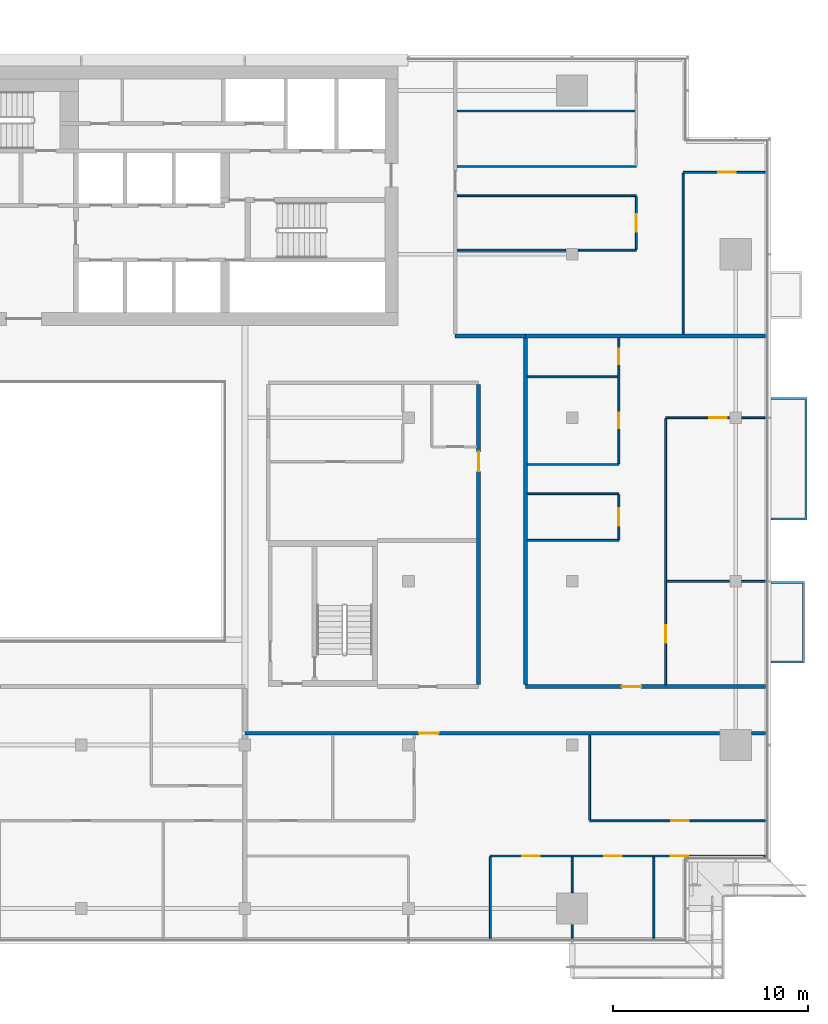
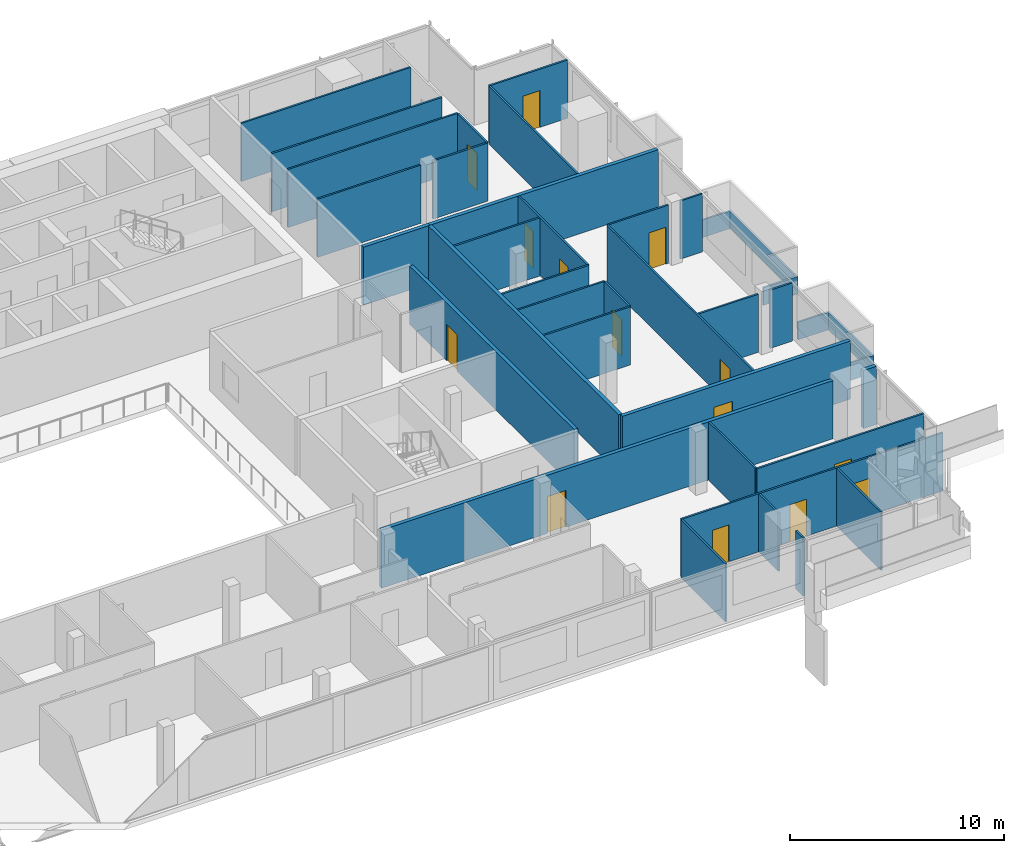
# One storey, part 23 of 30: 35 walls, 14 doors, 14 openings.
"""IFC4 building model written with IfcOpenShell, lengths in metres."""

from ifc_helpers import new_model, si_unit, direction, frame, frame_2d, origin, place, context, subcontext, project, spatial, polyline, rectangle, outline, extrude, material, layer, layer_set, type_object, element, fill, save


model = new_model("IFC4")

# Units and contexts
model_context = context("Model", 3, precision=1e-05, world=origin(), true_north=direction((0.0, 1.0)))
body_context = subcontext(model_context, "Body", "Model", "MODEL_VIEW")
ifc_project = project(units=[si_unit("LENGTHUNIT", "METRE"), si_unit("AREAUNIT", "SQUARE_METRE"), si_unit("VOLUMEUNIT", "CUBIC_METRE"), si_unit("PLANEANGLEUNIT", "RADIAN"), si_unit("MASSUNIT", "GRAM", prefix="KILO")], contexts=[model_context])

# Site, building, storey
site_placement = place(None, origin())
site = spatial("IfcSite", under=ifc_project, at=site_placement, CompositionType="ELEMENT")
building_placement = place(site_placement, origin())
building = spatial("IfcBuilding", under=site, at=building_placement, Name="Saffron Gate Tower", CompositionType="ELEMENT")
storey_placement = place(building_placement, frame((0.0, 0.0, 216.300048828125)))
storey = spatial("IfcBuildingStorey", under=building, at=storey_placement, Name="L52", CompositionType="ELEMENT", Elevation=216.300048828125)

# Wall, openings, doors
ifc_material_1 = material(Name="Plasterboard on steel studs", Category="steel")
ifc_layer_1 = layer(ifc_material_1, 0.10009765625)
ifc_layer_set_1 = layer_set([ifc_layer_1], Name="PW1 Partition 100")
wall_type_1 = type_object("IfcWallType", Name="PW1 Partition 100", PredefinedType="PARTITIONING", material=ifc_layer_set_1)
wall_1_placement = place(storey_placement, frame((126.919921875, 34.5, 0.0), z_axis=(0.0, 0.0, 1.0), x_axis=(-1.0, 0.0, 0.0)))
wall_1 = element("IfcWall", 1, at=wall_1_placement, inside=storey, type_object=wall_type_1, Name="Partition D2-2", PredefinedType="PARTITIONING", context=body_context, shape_type="SweptSolid", body=[
    extrude(rectangle(XDim=14.119873046875, YDim=0.10009765625, at=frame_2d((7.06005859375, 0.0))), origin(), (0.0, 0.0, 1.0), 3.320068359375),
])
opening_1_placement = place(wall_1_placement, frame((3.96630859375, 0.0, 0.0)))
opening_1 = element("IfcOpeningElement", 2, at=opening_1_placement, cuts=wall_1, Name="Opening D2-23", PredefinedType="OPENING", context=body_context, shape_type="SweptSolid", body=[
    extrude(rectangle(XDim=0.89990234375, YDim=2.10009765625, at=frame_2d((0.449951171875, 1.050048828125))), frame((0.0, 0.06005859375, 0.0), z_axis=(0.0, -1.0, 0.0), x_axis=(1.0, 0.0, 0.0)), (0.0, 0.0, 1.0), 0.1201171875),
])
opening_2_placement = place(wall_1_placement, frame((7.3701171875, 0.0, 0.0)))
opening_2 = element("IfcOpeningElement", 3, at=opening_2_placement, cuts=wall_1, Name="Opening D2-22", PredefinedType="OPENING", context=body_context, shape_type="SweptSolid", body=[
    extrude(rectangle(XDim=0.89990234375, YDim=2.10009765625, at=frame_2d((0.449951171875, 1.050048828125))), frame((0.0, 0.06005859375, 0.0), z_axis=(0.0, -1.0, 0.0), x_axis=(1.0, 0.0, 0.0)), (0.0, 0.0, 1.0), 0.1201171875),
])
opening_3_placement = place(wall_1_placement, frame((11.570068359375, 0.0, 0.0)))
opening_3 = element("IfcOpeningElement", 4, at=opening_3_placement, cuts=wall_1, Name="Opening D2-21", PredefinedType="OPENING", context=body_context, shape_type="SweptSolid", body=[
    extrude(rectangle(XDim=0.89990234375, YDim=2.10009765625, at=frame_2d((0.449951171875, 1.050048828125))), frame((0.0, 0.06005859375, 0.0), z_axis=(0.0, -1.0, 0.0), x_axis=(1.0, 0.0, 0.0)), (0.0, 0.0, 1.0), 0.1201171875),
])
ifc_material_2 = material(Name="Timber door set", Category="wood")
door_type_1 = type_object("IfcDoorType", Name="RD1 Room door 900x2100", OperationType="NOTDEFINED", PredefinedType="DOOR", material=ifc_material_2)
door_1_placement = place(opening_1_placement, origin())
door_1 = element("IfcDoor", 5, at=door_1_placement, inside=storey, type_object=door_type_1, Name="Door D2-23", OperationType="SINGLE_SWING_RIGHT", OverallHeight=2.10009765625, OverallWidth=0.89990234375, PredefinedType="DOOR", context=body_context, shape_type="SweptSolid", body=[
    extrude(rectangle(XDim=0.89990234375, YDim=2.10009765625, at=frame_2d((0.449951171875, 1.050048828125))), frame((0.0, 0.02490234375, 0.0), z_axis=(0.0, -1.0, 0.0), x_axis=(1.0, 0.0, 0.0)), (0.0, 0.0, 1.0), 0.050048828125),
])
fill(opening_1, door_1)
door_2_placement = place(opening_2_placement, origin())
door_2 = element("IfcDoor", 6, at=door_2_placement, inside=storey, type_object=door_type_1, Name="Door D2-22", OperationType="SINGLE_SWING_RIGHT", OverallHeight=2.10009765625, OverallWidth=0.89990234375, PredefinedType="DOOR", context=body_context, shape_type="SweptSolid", body=[
    extrude(rectangle(XDim=0.89990234375, YDim=2.10009765625, at=frame_2d((0.449951171875, 1.050048828125))), frame((0.0, 0.02490234375, 0.0), z_axis=(0.0, -1.0, 0.0), x_axis=(1.0, 0.0, 0.0)), (0.0, 0.0, 1.0), 0.050048828125),
])
fill(opening_2, door_2)
door_3_placement = place(opening_3_placement, origin())
door_3 = element("IfcDoor", 7, at=door_3_placement, inside=storey, type_object=door_type_1, Name="Door D2-21", OperationType="SINGLE_SWING_LEFT", OverallHeight=2.10009765625, OverallWidth=0.89990234375, PredefinedType="DOOR", context=body_context, shape_type="SweptSolid", body=[
    extrude(rectangle(XDim=0.89990234375, YDim=2.10009765625, at=frame_2d((0.449951171875, 1.050048828125))), frame((0.0, 0.02490234375, 0.0), z_axis=(0.0, -1.0, 0.0), x_axis=(1.0, 0.0, 0.0)), (0.0, 0.0, 1.0), 0.050048828125),
])
fill(opening_3, door_3)

# Wall, opening, door
wall_2_placement = place(storey_placement, frame((117.89990234375, 36.300048828125, 0.0), z_axis=(0.0, 0.0, 1.0), x_axis=(1.0, 0.0, 0.0)))
wall_2 = element("IfcWall", 8, at=wall_2_placement, inside=storey, type_object=wall_type_1, Name="Partition D2-4", PredefinedType="PARTITIONING", context=body_context, shape_type="SweptSolid", body=[
    extrude(rectangle(XDim=9.02001953125, YDim=0.10009765625, at=frame_2d((4.510009765625, 0.0))), origin(), (0.0, 0.0, 1.0), 3.320068359375),
])
opening_4_placement = place(wall_2_placement, frame((4.199951171875, 0.0, 0.0)))
opening_4 = element("IfcOpeningElement", 9, at=opening_4_placement, cuts=wall_2, Name="Opening D2-24", PredefinedType="OPENING", context=body_context, shape_type="SweptSolid", body=[
    extrude(rectangle(XDim=0.89990234375, YDim=2.10009765625, at=frame_2d((0.449951171875, 1.050048828125))), frame((0.0, 0.06005859375, 0.0), z_axis=(0.0, -1.0, 0.0), x_axis=(1.0, 0.0, 0.0)), (0.0, 0.0, 1.0), 0.1201171875),
])
door_4_placement = place(opening_4_placement, origin())
door_4 = element("IfcDoor", 10, at=door_4_placement, inside=storey, type_object=door_type_1, Name="Door D2-24", OperationType="SINGLE_SWING_RIGHT", OverallHeight=2.10009765625, OverallWidth=0.89990234375, PredefinedType="DOOR", context=body_context, shape_type="SweptSolid", body=[
    extrude(rectangle(XDim=0.89990234375, YDim=2.10009765625, at=frame_2d((0.449951171875, 1.050048828125))), frame((0.0, 0.02490234375, 0.0), z_axis=(0.0, -1.0, 0.0), x_axis=(1.0, 0.0, 0.0)), (0.0, 0.0, 1.0), 0.050048828125),
])
fill(opening_4, door_4)

# Walls
wall_3_placement = place(storey_placement, frame((121.85009765625, 48.60009765625, 0.0), z_axis=(0.0, 0.0, 1.0), x_axis=(1.0, 0.0, 0.0)))
element("IfcWall", 11, at=wall_3_placement, inside=storey, type_object=wall_type_1, Name="Partition D2-21", PredefinedType="PARTITIONING", context=body_context, shape_type="SweptSolid", body=[
    extrude(rectangle(XDim=3.22998046875, YDim=0.10009765625, at=frame_2d((1.614990234375, 0.0))), origin(), (0.0, 0.0, 1.0), 3.320068359375),
])
wall_4_placement = place(storey_placement, frame((125.719970703125, 48.60009765625, 0.0), z_axis=(0.0, 0.0, 1.0), x_axis=(1.0, 0.0, 0.0)))
element("IfcWall", 12, at=wall_4_placement, inside=storey, type_object=wall_type_1, Name="Partition D2-22", PredefinedType="PARTITIONING", context=body_context, shape_type="SweptSolid", body=[
    extrude(rectangle(XDim=1.199951171875, YDim=0.10009765625, at=frame_2d((0.60009765625, 0.0))), origin(), (0.0, 0.0, 1.0), 3.320068359375),
])
for number, where, z_axis, x_axis, name in (
    (13, (114.699951171875, 50.699951171875, 0.0), (0.0, 0.0, 1.0), (1.0, 0.0, 0.0), "Partition D2-26"),
    (14, (114.699951171875, 53.10009765625, 0.0), (0.0, 0.0, 1.0), (1.0, 0.0, 0.0), "Partition D2-28"),
    (15, (114.699951171875, 54.60009765625, 0.0), (0.0, 0.0, 1.0), (1.0, 0.0, 0.0), "Partition D2-29"),
):
    element("IfcWall", number, at=place(storey_placement, frame(where, z_axis=z_axis, x_axis=x_axis)), inside=storey, type_object=wall_type_1, Name=name, PredefinedType="PARTITIONING", context=body_context, shape_type="SweptSolid", body=[
        extrude(rectangle(XDim=4.699951171875, YDim=0.10009765625, at=frame_2d((2.35009765625, 0.0))), origin(), (0.0, 0.0, 1.0), 3.320068359375),
    ])

# Wall, opening, door
wall_5_placement = place(storey_placement, frame((125.080078125, 57.0, 0.0), z_axis=(0.0, 0.0, 1.0), x_axis=(-1.0, 0.0, 0.0)))
wall_5 = element("IfcWall", 16, at=wall_5_placement, inside=storey, type_object=wall_type_1, Name="Partition D2-34", PredefinedType="PARTITIONING", context=body_context, shape_type="SweptSolid", body=[
    extrude(rectangle(XDim=3.280029296875, YDim=0.10009765625, at=frame_2d((1.64013671875, 0.0))), origin(), (0.0, 0.0, 1.0), 3.320068359375),
])
opening_5_placement = place(wall_5_placement, frame((0.14990234375, 0.0, 0.0)))
opening_5 = element("IfcOpeningElement", 17, at=opening_5_placement, cuts=wall_5, Name="Opening D2-32", PredefinedType="OPENING", context=body_context, shape_type="SweptSolid", body=[
    extrude(rectangle(XDim=0.89990234375, YDim=2.10009765625, at=frame_2d((0.449951171875, 1.050048828125))), frame((0.0, 0.06005859375, 0.0), z_axis=(0.0, -1.0, 0.0), x_axis=(1.0, 0.0, 0.0)), (0.0, 0.0, 1.0), 0.1201171875),
])
door_5_placement = place(opening_5_placement, origin())
door_5 = element("IfcDoor", 18, at=door_5_placement, inside=storey, type_object=door_type_1, Name="Door D2-32", OperationType="SINGLE_SWING_LEFT", OverallHeight=2.10009765625, OverallWidth=0.89990234375, PredefinedType="DOOR", context=body_context, shape_type="SweptSolid", body=[
    extrude(rectangle(XDim=0.89990234375, YDim=2.10009765625, at=frame_2d((0.449951171875, 1.050048828125))), frame((0.0, 0.02490234375, 0.0), z_axis=(0.0, -1.0, 0.0), x_axis=(1.0, 0.0, 0.0)), (0.0, 0.0, 1.0), 0.050048828125),
])
fill(opening_5, door_5)

# Walls
wall_6_placement = place(storey_placement, frame((125.719970703125, 57.0, 0.0), z_axis=(0.0, 0.0, 1.0), x_axis=(1.0, 0.0, 0.0)))
element("IfcWall", 19, at=wall_6_placement, inside=storey, type_object=wall_type_1, Name="Partition D2-35", PredefinedType="PARTITIONING", context=body_context, shape_type="SweptSolid", body=[
    extrude(rectangle(XDim=1.199951171875, YDim=0.10009765625, at=frame_2d((0.60009765625, 0.0))), origin(), (0.0, 0.0, 1.0), 3.320068359375),
])
wall_7_placement = place(storey_placement, frame((114.699951171875, 59.10009765625, 0.0), z_axis=(0.0, 0.0, 1.0), x_axis=(1.0, 0.0, 0.0)))
element("IfcWall", 20, at=wall_7_placement, inside=storey, type_object=wall_type_1, Name="Partition D2-39", PredefinedType="PARTITIONING", context=body_context, shape_type="SweptSolid", body=[
    extrude(rectangle(XDim=4.650146484375, YDim=0.10009765625, at=frame_2d((2.3251953125, 0.0))), origin(), (0.0, 0.0, 1.0), 3.320068359375),
])
wall_8_placement = place(storey_placement, frame((111.10009765625, 65.608642578125, 0.0), z_axis=(0.0, 0.0, 1.0), x_axis=(1.0, 0.0, 0.0)))
element("IfcWall", 21, at=wall_8_placement, inside=storey, type_object=wall_type_1, Name="Partition D2-46", PredefinedType="PARTITIONING", context=body_context, shape_type="SweptSolid", body=[
    extrude(rectangle(XDim=5.579833984375, YDim=0.10009765625, at=frame_2d((2.7900390625, 0.0))), origin(), (0.0, 0.0, 1.0), 3.320068359375),
])
wall_9_placement = place(storey_placement, frame((117.320068359375, 65.608642578125, 0.0), z_axis=(0.0, 0.0, 1.0), x_axis=(1.0, 0.0, 0.0)))
element("IfcWall", 22, at=wall_9_placement, inside=storey, type_object=wall_type_1, Name="Partition D2-47", PredefinedType="PARTITIONING", context=body_context, shape_type="SweptSolid", body=[
    extrude(rectangle(XDim=2.97998046875, YDim=0.10009765625, at=frame_2d((1.489990234375, 0.0))), origin(), (0.0, 0.0, 1.0), 3.320068359375),
])
wall_10_placement = place(storey_placement, frame((111.10009765625, 68.39990234375, 0.0), z_axis=(0.0, 0.0, 1.0), x_axis=(1.0, 0.0, 0.0)))
element("IfcWall", 23, at=wall_10_placement, inside=storey, type_object=wall_type_1, Name="Partition D2-49", PredefinedType="PARTITIONING", context=body_context, shape_type="SweptSolid", body=[
    extrude(rectangle(XDim=9.199951171875, YDim=0.10009765625, at=frame_2d((4.60009765625, 0.0))), origin(), (0.0, 0.0, 1.0), 3.320068359375),
])

# Wall, opening, door
wall_11_placement = place(storey_placement, frame((126.919921875, 69.60009765625, 0.0), z_axis=(0.0, 0.0, 1.0), x_axis=(-1.0, 0.0, 0.0)))
wall_11 = element("IfcWall", 24, at=wall_11_placement, inside=storey, type_object=wall_type_1, Name="Partition D2-52", PredefinedType="PARTITIONING", context=body_context, shape_type="SweptSolid", body=[
    extrude(rectangle(XDim=4.219970703125, YDim=0.10009765625, at=frame_2d((2.10986328125, 0.0))), origin(), (0.0, 0.0, 1.0), 3.320068359375),
])
opening_6_placement = place(wall_11_placement, frame((1.52001953125, 0.0, 0.0)))
opening_6 = element("IfcOpeningElement", 25, at=opening_6_placement, cuts=wall_11, Name="Opening D2-34", PredefinedType="OPENING", context=body_context, shape_type="SweptSolid", body=[
    extrude(rectangle(XDim=0.89990234375, YDim=2.10009765625, at=frame_2d((0.449951171875, 1.050048828125))), frame((0.0, 0.06005859375, 0.0), z_axis=(0.0, -1.0, 0.0), x_axis=(1.0, 0.0, 0.0)), (0.0, 0.0, 1.0), 0.1201171875),
])
door_6_placement = place(opening_6_placement, origin())
door_6 = element("IfcDoor", 26, at=door_6_placement, inside=storey, type_object=door_type_1, Name="Door D2-34", OperationType="SINGLE_SWING_LEFT", OverallHeight=2.10009765625, OverallWidth=0.89990234375, PredefinedType="DOOR", context=body_context, shape_type="SweptSolid", body=[
    extrude(rectangle(XDim=0.89990234375, YDim=2.10009765625, at=frame_2d((0.449951171875, 1.050048828125))), frame((0.0, 0.02490234375, 0.0), z_axis=(0.0, -1.0, 0.0), x_axis=(1.0, 0.0, 0.0)), (0.0, 0.0, 1.0), 0.050048828125),
])
fill(opening_6, door_6)

# Walls
wall_12_placement = place(storey_placement, frame((111.10009765625, 69.89990234375, 0.0), z_axis=(0.0, 0.0, 1.0), x_axis=(1.0, 0.0, 0.0)))
element("IfcWall", 27, at=wall_12_placement, inside=storey, type_object=wall_type_1, Name="Partition D2-53", PredefinedType="PARTITIONING", context=body_context, shape_type="SweptSolid", body=[
    extrude(rectangle(XDim=9.199951171875, YDim=0.10009765625, at=frame_2d((4.60009765625, 0.0))), origin(), (0.0, 0.0, 1.0), 3.320068359375),
])
wall_13_placement = place(storey_placement, frame((111.10009765625, 72.74951171875, 0.0), z_axis=(0.0, 0.0, 1.0), x_axis=(1.0, 0.0, 0.0)))
element("IfcWall", 28, at=wall_13_placement, inside=storey, type_object=wall_type_1, Name="Partition D2-55", PredefinedType="PARTITIONING", context=body_context, shape_type="SweptSolid", body=[
    extrude(rectangle(XDim=9.14990234375, YDim=0.10009765625, at=frame_2d((4.574951171875, 0.0))), origin(), (0.0, 0.0, 1.0), 3.320068359375),
])
wall_14_placement = place(storey_placement, frame((112.800048828125, 34.449951171875, 0.0), z_axis=(0.0, 0.0, 1.0), x_axis=(0.0, -1.0, 0.0)))
element("IfcWall", 29, at=wall_14_placement, inside=storey, type_object=wall_type_1, Name="Partition D2-105", PredefinedType="PARTITIONING", context=body_context, shape_type="SweptSolid", body=[
    extrude(rectangle(XDim=4.169921875, YDim=0.10009765625, at=frame_2d((2.0849609375, 0.0))), origin(), (0.0, 0.0, 1.0), 3.320068359375),
])
wall_15_placement = place(storey_placement, frame((117.0, 30.97998046875, 0.0), z_axis=(0.0, 0.0, 1.0), x_axis=(0.0, -1.0, 0.0)))
element("IfcWall", 30, at=wall_15_placement, inside=storey, type_object=wall_type_1, Name="Partition D2-107", PredefinedType="PARTITIONING", context=body_context, shape_type="SweptSolid", body=[
    extrude(rectangle(XDim=0.699951171875, YDim=0.10009765625, at=frame_2d((0.35009765625, 0.0))), origin(), (0.0, 0.0, 1.0), 3.320068359375),
])
wall_16_placement = place(storey_placement, frame((117.0, 34.449951171875, 0.0), z_axis=(0.0, 0.0, 1.0), x_axis=(0.0, -1.0, 0.0)))
element("IfcWall", 31, at=wall_16_placement, inside=storey, type_object=wall_type_1, Name="Partition D2-108", PredefinedType="PARTITIONING", context=body_context, shape_type="SweptSolid", body=[
    extrude(rectangle(XDim=1.829833984375, YDim=0.10009765625, at=frame_2d((0.9150390625, 0.0))), origin(), (0.0, 0.0, 1.0), 3.320068359375),
])
wall_17_placement = place(storey_placement, frame((117.89990234375, 40.699951171875, 0.0), z_axis=(0.0, 0.0, 1.0), x_axis=(0.0, -1.0, 0.0)))
element("IfcWall", 32, at=wall_17_placement, inside=storey, type_object=wall_type_1, Name="Partition D2-109", PredefinedType="PARTITIONING", context=body_context, shape_type="SweptSolid", body=[
    extrude(rectangle(XDim=4.349853515625, YDim=0.10009765625, at=frame_2d((2.1748046875, 0.0))), origin(), (0.0, 0.0, 1.0), 3.320068359375),
])

# Wall, opening, door
wall_18_placement = place(storey_placement, frame((119.39990234375, 50.75, 0.0), z_axis=(0.0, 0.0, 1.0), x_axis=(0.0, 1.0, 0.0)))
wall_18 = element("IfcWall", 33, at=wall_18_placement, inside=storey, type_object=wall_type_1, Name="Partition D2-110", PredefinedType="PARTITIONING", context=body_context, shape_type="SweptSolid", body=[
    extrude(rectangle(XDim=2.300048828125, YDim=0.10009765625, at=frame_2d((1.14990234375, 0.0))), origin(), (0.0, 0.0, 1.0), 3.320068359375),
])
opening_7_placement = place(wall_18_placement, frame((0.699951171875, 0.0, 0.0)))
opening_7 = element("IfcOpeningElement", 34, at=opening_7_placement, cuts=wall_18, Name="Opening D2-33", PredefinedType="OPENING", context=body_context, shape_type="SweptSolid", body=[
    extrude(rectangle(XDim=0.89990234375, YDim=2.10009765625, at=frame_2d((0.449951171875, 1.050048828125))), frame((0.0, 0.06005859375, 0.0), z_axis=(0.0, -1.0, 0.0), x_axis=(1.0, 0.0, 0.0)), (0.0, 0.0, 1.0), 0.1201171875),
])
door_7_placement = place(opening_7_placement, origin())
door_7 = element("IfcDoor", 35, at=door_7_placement, inside=storey, type_object=door_type_1, Name="Door D2-33", OperationType="SINGLE_SWING_LEFT", OverallHeight=2.10009765625, OverallWidth=0.89990234375, PredefinedType="DOOR", context=body_context, shape_type="SweptSolid", body=[
    extrude(rectangle(XDim=0.89990234375, YDim=2.10009765625, at=frame_2d((0.449951171875, 1.050048828125))), frame((0.0, 0.02490234375, 0.0), z_axis=(0.0, -1.0, 0.0), x_axis=(1.0, 0.0, 0.0)), (0.0, 0.0, 1.0), 0.050048828125),
])
fill(opening_7, door_7)

# Wall, openings, doors
wall_19_placement = place(storey_placement, frame((119.39990234375, 54.64990234375, 0.0), z_axis=(0.0, 0.0, 1.0), x_axis=(0.0, 1.0, 0.0)))
wall_19 = element("IfcWall", 36, at=wall_19_placement, inside=storey, type_object=wall_type_1, Name="Partition D2-111", PredefinedType="PARTITIONING", context=body_context, shape_type="SweptSolid", body=[
    extrude(rectangle(XDim=6.4501953125, YDim=0.10009765625, at=frame_2d((3.22509765625, 0.0))), origin(), (0.0, 0.0, 1.0), 3.320068359375),
])
opening_8_placement = place(wall_19_placement, frame((1.800048828125, 0.0, 0.0)))
opening_8 = element("IfcOpeningElement", 37, at=opening_8_placement, cuts=wall_19, Name="Opening D2-49", PredefinedType="OPENING", context=body_context, shape_type="SweptSolid", body=[
    extrude(rectangle(XDim=0.800048828125, YDim=2.10009765625, at=frame_2d((0.39990234375, 1.050048828125))), frame((0.0, 0.06005859375, 0.0), z_axis=(0.0, -1.0, 0.0), x_axis=(1.0, 0.0, 0.0)), (0.0, 0.0, 1.0), 0.1201171875),
])
opening_9_placement = place(wall_19_placement, frame((5.10009765625, 0.0, 0.0)))
opening_9 = element("IfcOpeningElement", 38, at=opening_9_placement, cuts=wall_19, Name="Opening D2-50", PredefinedType="OPENING", context=body_context, shape_type="SweptSolid", body=[
    extrude(rectangle(XDim=0.800048828125, YDim=2.10009765625, at=frame_2d((0.39990234375, 1.050048828125))), frame((0.0, 0.06005859375, 0.0), z_axis=(0.0, -1.0, 0.0), x_axis=(1.0, 0.0, 0.0)), (0.0, 0.0, 1.0), 0.1201171875),
])
door_type_2 = type_object("IfcDoorType", Name="RD2 Bathroom door 800x2100", OperationType="NOTDEFINED", PredefinedType="DOOR", material=ifc_material_2)
door_8_placement = place(opening_8_placement, origin())
door_8 = element("IfcDoor", 39, at=door_8_placement, inside=storey, type_object=door_type_2, Name="Door D2-49", OperationType="SINGLE_SWING_LEFT", OverallHeight=2.10009765625, OverallWidth=0.800048828125, PredefinedType="DOOR", context=body_context, shape_type="SweptSolid", body=[
    extrude(rectangle(XDim=0.800048828125, YDim=2.10009765625, at=frame_2d((0.39990234375, 1.050048828125))), frame((0.0, 0.02490234375, 0.0), z_axis=(0.0, -1.0, 0.0), x_axis=(1.0, 0.0, 0.0)), (0.0, 0.0, 1.0), 0.050048828125),
])
fill(opening_8, door_8)
door_9_placement = place(opening_9_placement, origin())
door_9 = element("IfcDoor", 40, at=door_9_placement, inside=storey, type_object=door_type_2, Name="Door D2-50", OperationType="SINGLE_SWING_RIGHT", OverallHeight=2.10009765625, OverallWidth=0.800048828125, PredefinedType="DOOR", context=body_context, shape_type="SweptSolid", body=[
    extrude(rectangle(XDim=0.800048828125, YDim=2.10009765625, at=frame_2d((0.39990234375, 1.050048828125))), frame((0.0, 0.02490234375, 0.0), z_axis=(0.0, -1.0, 0.0), x_axis=(1.0, 0.0, 0.0)), (0.0, 0.0, 1.0), 0.050048828125),
])
fill(opening_9, door_9)

# Wall, opening, door
wall_20_placement = place(storey_placement, frame((120.300048828125, 65.65869140625, 0.0), z_axis=(0.0, 0.0, 1.0), x_axis=(0.0, 1.0, 0.0)))
wall_20 = element("IfcWall", 41, at=wall_20_placement, inside=storey, type_object=wall_type_1, Name="Partition D2-112", PredefinedType="PARTITIONING", context=body_context, shape_type="SweptSolid", body=[
    extrude(rectangle(XDim=2.69140625, YDim=0.10009765625, at=frame_2d((1.345703125, 0.0))), origin(), (0.0, 0.0, 1.0), 3.320068359375),
])
opening_10_placement = place(wall_20_placement, frame((0.895751953125, 0.0, 0.0)))
opening_10 = element("IfcOpeningElement", 42, at=opening_10_placement, cuts=wall_20, Name="Opening D2-35", PredefinedType="OPENING", context=body_context, shape_type="SweptSolid", body=[
    extrude(rectangle(XDim=0.89990234375, YDim=2.10009765625, at=frame_2d((0.449951171875, 1.050048828125))), frame((0.0, 0.06005859375, 0.0), z_axis=(0.0, -1.0, 0.0), x_axis=(1.0, 0.0, 0.0)), (0.0, 0.0, 1.0), 0.1201171875),
])
door_10_placement = place(opening_10_placement, origin())
door_10 = element("IfcDoor", 43, at=door_10_placement, inside=storey, type_object=door_type_1, Name="Door D2-35", OperationType="SINGLE_SWING_LEFT", OverallHeight=2.10009765625, OverallWidth=0.89990234375, PredefinedType="DOOR", context=body_context, shape_type="SweptSolid", body=[
    extrude(rectangle(XDim=0.89990234375, YDim=2.10009765625, at=frame_2d((0.449951171875, 1.050048828125))), frame((0.0, 0.02490234375, 0.0), z_axis=(0.0, -1.0, 0.0), x_axis=(1.0, 0.0, 0.0)), (0.0, 0.0, 1.0), 0.050048828125),
])
fill(opening_10, door_10)

# Wall
wall_21_placement = place(storey_placement, frame((121.199951171875, 34.449951171875, 0.0), z_axis=(0.0, 0.0, 1.0), x_axis=(0.0, -1.0, 0.0)))
element("IfcWall", 44, at=wall_21_placement, inside=storey, type_object=wall_type_1, Name="Partition D2-114", PredefinedType="PARTITIONING", context=body_context, shape_type="SweptSolid", body=[
    extrude(rectangle(XDim=4.169921875, YDim=0.10009765625, at=frame_2d((2.0849609375, 0.0))), origin(), (0.0, 0.0, 1.0), 3.320068359375),
])

# Wall, opening, door
wall_22_placement = place(storey_placement, frame((121.800048828125, 56.949951171875, 0.0), z_axis=(0.0, 0.0, 1.0), x_axis=(0.0, -1.0, 0.0)))
wall_22 = element("IfcWall", 45, at=wall_22_placement, inside=storey, type_object=wall_type_1, Name="Partition D2-115", PredefinedType="PARTITIONING", context=body_context, shape_type="SweptSolid", body=[
    extrude(rectangle(XDim=13.64990234375, YDim=0.10009765625, at=frame_2d((6.824951171875, 0.0))), origin(), (0.0, 0.0, 1.0), 3.320068359375),
])
opening_11_placement = place(wall_22_placement, frame((10.60009765625, 0.0, 0.0)))
opening_11 = element("IfcOpeningElement", 46, at=opening_11_placement, cuts=wall_22, Name="Opening D2-31", PredefinedType="OPENING", context=body_context, shape_type="SweptSolid", body=[
    extrude(rectangle(XDim=0.89990234375, YDim=2.10009765625, at=frame_2d((0.449951171875, 1.050048828125))), frame((0.0, 0.06005859375, 0.0), z_axis=(0.0, -1.0, 0.0), x_axis=(1.0, 0.0, 0.0)), (0.0, 0.0, 1.0), 0.1201171875),
])
door_11_placement = place(opening_11_placement, origin())
door_11 = element("IfcDoor", 47, at=door_11_placement, inside=storey, type_object=door_type_1, Name="Door D2-31", OperationType="SINGLE_SWING_RIGHT", OverallHeight=2.10009765625, OverallWidth=0.89990234375, PredefinedType="DOOR", context=body_context, shape_type="SweptSolid", body=[
    extrude(rectangle(XDim=0.89990234375, YDim=2.10009765625, at=frame_2d((0.449951171875, 1.050048828125))), frame((0.0, 0.02490234375, 0.0), z_axis=(0.0, -1.0, 0.0), x_axis=(1.0, 0.0, 0.0)), (0.0, 0.0, 1.0), 0.050048828125),
])
fill(opening_11, door_11)

# Walls
wall_23_placement = place(storey_placement, frame((122.699951171875, 69.550048828125, 0.0), z_axis=(0.0, 0.0, 1.0), x_axis=(0.0, -1.0, 0.0)))
element("IfcWall", 48, at=wall_23_placement, inside=storey, type_object=wall_type_1, Name="Partition D2-116", PredefinedType="PARTITIONING", context=body_context, shape_type="SweptSolid", body=[
    extrude(rectangle(XDim=8.25, YDim=0.10009765625, at=frame_2d((4.125, 0.0))), origin(), (0.0, 0.0, 1.0), 3.320068359375),
])
ifc_material_3 = material(Name="Clay brick masonry, rendered", Category="masonry")
ifc_layer_2 = layer(ifc_material_3, 0.199951171875)
ifc_layer_set_2 = layer_set([ifc_layer_2], Name="PW2 Demising wall 200")
wall_type_2 = type_object("IfcWallType", Name="PW2 Demising wall 200", PredefinedType="PARTITIONING", material=ifc_layer_set_2)
wall_24_placement = place(storey_placement, frame((114.60009765625, 61.199951171875, 0.0), z_axis=(0.0, 0.0, 1.0), x_axis=(1.0, 0.0, 0.0)))
element("IfcWall", 49, at=wall_24_placement, inside=storey, type_object=wall_type_2, Name="Wall D2-43", PredefinedType="PARTITIONING", context=body_context, shape_type="SweptSolid", body=[
    extrude(rectangle(XDim=12.31982421875, YDim=0.199951171875, at=frame_2d((6.159912109375, 0.0))), origin(), (0.0, 0.0, 1.0), 3.320068359375),
])

# Wall, opening, door
ifc_layer_3 = layer(ifc_material_3, 0.199951171875)
ifc_layer_set_3 = layer_set([ifc_layer_3], Name="PW3 Corridor wall 200")
wall_type_3 = type_object("IfcWallType", Name="PW3 Corridor wall 200", PredefinedType="PARTITIONING", material=ifc_layer_set_3)
wall_25_placement = place(storey_placement, frame((124.580078125, 40.800048828125, 0.0), z_axis=(0.0, 0.0, 1.0), x_axis=(-1.0, 0.0, 0.0)))
wall_25 = element("IfcWall", 50, at=wall_25_placement, inside=storey, type_object=wall_type_3, Name="Wall D2-11", PredefinedType="PARTITIONING", context=body_context, shape_type="SweptSolid", body=[
    extrude(rectangle(XDim=24.380126953125, YDim=0.199951171875, at=frame_2d((12.18994140625, 0.0))), origin(), (0.0, 0.0, 1.0), 3.320068359375),
])
opening_12_placement = place(wall_25_placement, frame((14.429931640625, 0.0, 0.0)))
opening_12 = element("IfcOpeningElement", 51, at=opening_12_placement, cuts=wall_25, Name="Opening D2-3", PredefinedType="OPENING", context=body_context, shape_type="SweptSolid", body=[
    extrude(rectangle(XDim=1.0, YDim=2.10009765625, at=frame_2d((0.5, 1.050048828125))), frame((0.0, 0.10986328125, 0.0), z_axis=(0.0, -1.0, 0.0), x_axis=(1.0, 0.0, 0.0)), (0.0, 0.0, 1.0), 0.219970703125),
])
ifc_material_4 = material(Name="Timber fire door set", Category="wood")
door_type_3 = type_object("IfcDoorType", Name="FD1 Flat entry door 1000x2100", OperationType="NOTDEFINED", PredefinedType="DOOR", material=ifc_material_4)
door_12_placement = place(opening_12_placement, origin())
door_12 = element("IfcDoor", 52, at=door_12_placement, inside=storey, type_object=door_type_3, Name="Door D2-3", OperationType="SINGLE_SWING_RIGHT", OverallHeight=2.10009765625, OverallWidth=1.0, PredefinedType="DOOR", context=body_context, shape_type="SweptSolid", body=[
    extrude(rectangle(XDim=1.0, YDim=2.10009765625, at=frame_2d((0.5, 1.050048828125))), frame((0.0, 0.02490234375, 0.0), z_axis=(0.0, -1.0, 0.0), x_axis=(1.0, 0.0, 0.0)), (0.0, 0.0, 1.0), 0.050048828125),
])
fill(opening_12, door_12)

# Wall
wall_26_placement = place(storey_placement, frame((126.219970703125, 40.800048828125, 0.0), z_axis=(0.0, 0.0, 1.0), x_axis=(1.0, 0.0, 0.0)))
element("IfcWall", 53, at=wall_26_placement, inside=storey, type_object=wall_type_3, Name="Wall D2-12", PredefinedType="PARTITIONING", context=body_context, shape_type="SweptSolid", body=[
    extrude(rectangle(XDim=0.699951171875, YDim=0.199951171875, at=frame_2d((0.35009765625, 0.0))), origin(), (0.0, 0.0, 1.0), 3.320068359375),
])

# Wall, opening, door
wall_27_placement = place(storey_placement, frame((114.60009765625, 43.199951171875, 0.0), z_axis=(0.0, 0.0, 1.0), x_axis=(1.0, 0.0, 0.0)))
wall_27 = element("IfcWall", 54, at=wall_27_placement, inside=storey, type_object=wall_type_3, Name="Wall D2-17", PredefinedType="PARTITIONING", context=body_context, shape_type="SweptSolid", body=[
    extrude(rectangle(XDim=12.31982421875, YDim=0.199951171875, at=frame_2d((6.159912109375, 0.0))), origin(), (0.0, 0.0, 1.0), 3.320068359375),
])
opening_13_placement = place(wall_27_placement, frame((4.949951171875, 0.0, 0.0)))
opening_13 = element("IfcOpeningElement", 55, at=opening_13_placement, cuts=wall_27, Name="Opening D2-6", PredefinedType="OPENING", context=body_context, shape_type="SweptSolid", body=[
    extrude(rectangle(XDim=1.0, YDim=2.10009765625, at=frame_2d((0.5, 1.050048828125))), frame((0.0, 0.10986328125, 0.0), z_axis=(0.0, -1.0, 0.0), x_axis=(1.0, 0.0, 0.0)), (0.0, 0.0, 1.0), 0.219970703125),
])
door_13_placement = place(opening_13_placement, origin())
door_13 = element("IfcDoor", 56, at=door_13_placement, inside=storey, type_object=door_type_3, Name="Door D2-6", OperationType="SINGLE_SWING_LEFT", OverallHeight=2.10009765625, OverallWidth=1.0, PredefinedType="DOOR", context=body_context, shape_type="SweptSolid", body=[
    extrude(rectangle(XDim=1.0, YDim=2.10009765625, at=frame_2d((0.5, 1.050048828125))), frame((0.0, 0.02490234375, 0.0), z_axis=(0.0, -1.0, 0.0), x_axis=(1.0, 0.0, 0.0)), (0.0, 0.0, 1.0), 0.050048828125),
])
fill(opening_13, door_13)

# Wall
wall_28_placement = place(storey_placement, frame((111.0, 61.199951171875, 0.0), z_axis=(0.0, 0.0, 1.0), x_axis=(1.0, 0.0, 0.0)))
element("IfcWall", 57, at=wall_28_placement, inside=storey, type_object=wall_type_3, Name="Wall D2-41", PredefinedType="PARTITIONING", context=body_context, shape_type="SweptSolid", body=[
    extrude(rectangle(XDim=3.60009765625, YDim=0.199951171875, at=frame_2d((1.800048828125, 0.0))), origin(), (0.0, 0.0, 1.0), 3.320068359375),
])

# Wall, opening, door
wall_29_placement = place(storey_placement, frame((112.199951171875, 43.300048828125, 0.0), z_axis=(0.0, 0.0, 1.0), x_axis=(0.0, 1.0, 0.0)))
wall_29 = element("IfcWall", 58, at=wall_29_placement, inside=storey, type_object=wall_type_3, Name="Wall D2-104", PredefinedType="PARTITIONING", context=body_context, shape_type="SweptSolid", body=[
    extrude(rectangle(XDim=15.39990234375, YDim=0.199951171875, at=frame_2d((7.699951171875, 0.0))), origin(), (0.0, 0.0, 1.0), 3.320068359375),
])
opening_14_placement = place(wall_29_placement, frame((10.949951171875, 0.0, 0.0)))
opening_14 = element("IfcOpeningElement", 59, at=opening_14_placement, cuts=wall_29, Name="Opening D2-9", PredefinedType="OPENING", context=body_context, shape_type="SweptSolid", body=[
    extrude(rectangle(XDim=1.0, YDim=2.10009765625, at=frame_2d((0.5, 1.050048828125))), frame((0.0, 0.10986328125, 0.0), z_axis=(0.0, -1.0, 0.0), x_axis=(1.0, 0.0, 0.0)), (0.0, 0.0, 1.0), 0.219970703125),
])
door_14_placement = place(opening_14_placement, origin())
door_14 = element("IfcDoor", 60, at=door_14_placement, inside=storey, type_object=door_type_3, Name="Door D2-9", OperationType="SINGLE_SWING_RIGHT", OverallHeight=2.10009765625, OverallWidth=1.0, PredefinedType="DOOR", context=body_context, shape_type="SweptSolid", body=[
    extrude(rectangle(XDim=1.0, YDim=2.10009765625, at=frame_2d((0.5, 1.050048828125))), frame((0.0, 0.02490234375, 0.0), z_axis=(0.0, -1.0, 0.0), x_axis=(1.0, 0.0, 0.0)), (0.0, 0.0, 1.0), 0.050048828125),
])
fill(opening_14, door_14)

# Walls
wall_30_placement = place(storey_placement, frame((114.60009765625, 61.10009765625, 0.0), z_axis=(0.0, 0.0, 1.0), x_axis=(0.0, -1.0, 0.0)))
element("IfcWall", 61, at=wall_30_placement, inside=storey, type_object=wall_type_3, Name="Wall D2-106", PredefinedType="PARTITIONING", context=body_context, shape_type="SweptSolid", body=[
    extrude(rectangle(XDim=17.800048828125, YDim=0.199951171875, at=frame_2d((8.89990234375, 0.0))), origin(), (0.0, 0.0, 1.0), 3.320068359375),
])
ifc_material_5 = material(Name="Rendered insulated panel, white")
ifc_layer_4 = layer(ifc_material_5, 0.10009765625)
ifc_layer_set_4 = layer_set([ifc_layer_4], Name="WB3 box parapet white")
wall_type_4 = type_object("IfcWallType", Name="WB3 box parapet white", PredefinedType="SOLIDWALL", material=ifc_layer_set_4)
wall_31_placement = place(storey_placement, origin())
element("IfcWall", 62, at=wall_31_placement, inside=storey, type_object=wall_type_4, Name="WINDOW BOX parapet", PredefinedType="SOLIDWALL", context=body_context, shape_type="SweptSolid", body=[
    extrude(outline(polyline([(127.199951171875, 44.39990234375), (127.199951171875, 44.5), (128.8330078125, 44.5), (128.8330078125, 48.5), (127.199951171875, 48.5), (127.199951171875, 48.60009765625), (128.93310546875, 48.60009765625), (128.93310546875, 44.39990234375), (127.199951171875, 44.39990234375)])), origin(), (0.0, 0.0, 1.0), 1.0),
])
wall_32_placement = place(storey_placement, origin())
element("IfcWall", 63, at=wall_32_placement, inside=storey, type_object=wall_type_4, Name="WINDOW BOX parapet", PredefinedType="SOLIDWALL", context=body_context, shape_type="SweptSolid", body=[
    extrude(outline(polyline([(127.199951171875, 51.75), (127.199951171875, 51.85009765625), (128.967041015625, 51.85009765625), (128.967041015625, 57.949951171875), (127.199951171875, 57.949951171875), (127.199951171875, 58.050048828125), (129.06689453125, 58.050048828125), (129.06689453125, 51.75), (127.199951171875, 51.75)])), origin(), (0.0, 0.0, 1.0), 1.0),
])

save(model, "model.ifc")
